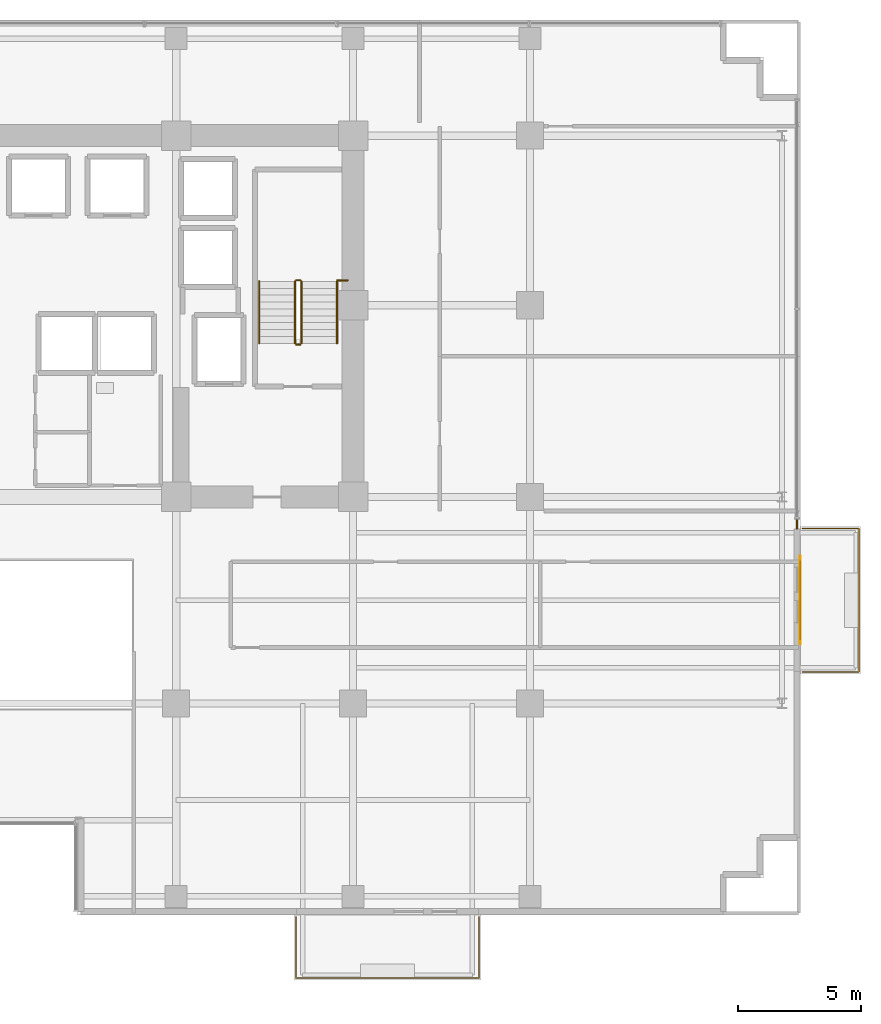
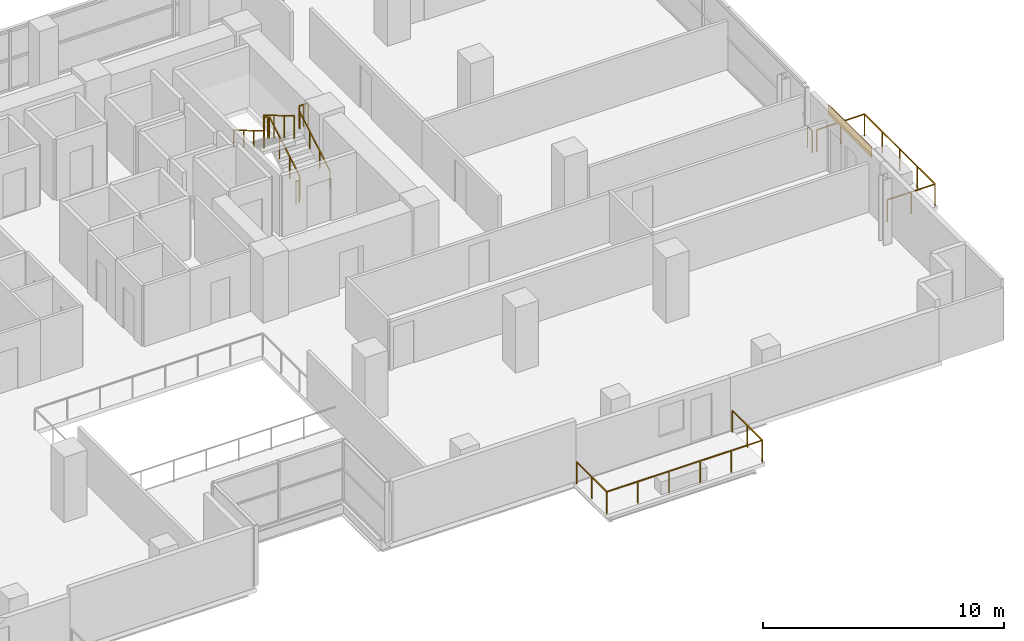
# One storey, part 25 of 26: 10 railings, 1 covering, 1 shading device.
"""IFC4 building model written with IfcOpenShell, lengths in metres."""

from ifc_helpers import new_model, si_unit, direction, frame, origin, origin_2d, place, context, subcontext, project, spatial, rectangle, extrude, source, transform, mapped, material, layer, layer_set, type_object, element, save


model = new_model("IFC4")

# Units and contexts
model_context = context("Model", 3, precision=1e-05, world=origin(), true_north=direction((0.0, 1.0)))
body_context = subcontext(model_context, "Body", "Model", "MODEL_VIEW")
ifc_project = project(units=[si_unit("LENGTHUNIT", "METRE"), si_unit("AREAUNIT", "SQUARE_METRE"), si_unit("VOLUMEUNIT", "CUBIC_METRE"), si_unit("PLANEANGLEUNIT", "RADIAN"), si_unit("MASSUNIT", "GRAM", prefix="KILO")], contexts=[model_context])

# Site, building, storey
site_placement = place(None, origin())
site = spatial("IfcSite", under=ifc_project, at=site_placement, CompositionType="ELEMENT")
building_placement = place(site_placement, origin())
building = spatial("IfcBuilding", under=site, at=building_placement, Name="Zarnakvel Exchange Tower", CompositionType="ELEMENT")
storey_placement = place(building_placement, frame((0.0, 0.0, 63.699951171875)))
storey = spatial("IfcBuildingStorey", under=building, at=storey_placement, Name="L17", CompositionType="ELEMENT", Elevation=63.699951171875)

# Railings
ifc_material_1 = material(Name="Architectural Bronze Anodised Aluminium", Category="aluminium")
railing_type_1 = type_object("IfcRailingType", Name="GR-02", PredefinedType="GUARDRAIL", material=ifc_material_1)
railing_1_placement = place(storey_placement, frame((12.080078125, -18.280029296875, -0.034912109375)))
element("IfcRailing", 1, at=railing_1_placement, inside=storey, type_object=railing_type_1, Name="L17 Balcony Guardrail BAL-L17-SE", PredefinedType="GUARDRAIL", context=body_context, shape_type="SweptSolid", body=[
    extrude(rectangle(XDim=0.048095703125, YDim=0.048095703125, at=origin_2d()), frame((0.0, 0.0, 1.09619140625), z_axis=(0.0, -1.0, 0.0), x_axis=(1.0, 0.0, 0.0)), (0.0, 0.0, 1.0), 2.489990234375),
    extrude(rectangle(XDim=0.048095703125, YDim=0.048095703125, at=origin_2d()), frame((0.0, -2.489990234375, 1.09619140625), z_axis=(1.0, 0.0, 0.0), x_axis=(0.0, 1.0, 0.0)), (0.0, 0.0, 1.0), 7.43994140625),
    extrude(rectangle(XDim=0.048095703125, YDim=0.048095703125, at=origin_2d()), frame((7.43994140625, -2.489990234375, 1.09619140625), z_axis=(0.0, 1.0, 0.0), x_axis=(-1.0, 0.0, 0.0)), (0.0, 0.0, 1.0), 2.489990234375),
    extrude(rectangle(XDim=0.0419921875, YDim=0.0419921875, at=origin_2d()), origin(), (0.0, 0.0, 1.0), 1.072021484375),
    extrude(rectangle(XDim=0.0419921875, YDim=0.0419921875, at=origin_2d()), frame((0.0, -1.2451171875, 0.0)), (0.0, 0.0, 1.0), 1.072021484375),
    extrude(rectangle(XDim=0.0419921875, YDim=0.0419921875, at=origin_2d()), frame((0.0, -2.489990234375, 0.0)), (0.0, 0.0, 1.0), 1.072021484375),
    extrude(rectangle(XDim=0.0419921875, YDim=0.0419921875, at=origin_2d()), frame((1.488037109375, -2.489990234375, 0.0)), (0.0, 0.0, 1.0), 1.072021484375),
    extrude(rectangle(XDim=0.0419921875, YDim=0.0419921875, at=origin_2d()), frame((2.97607421875, -2.489990234375, 0.0)), (0.0, 0.0, 1.0), 1.072021484375),
    extrude(rectangle(XDim=0.0419921875, YDim=0.0419921875, at=origin_2d()), frame((4.4638671875, -2.489990234375, 0.0)), (0.0, 0.0, 1.0), 1.072021484375),
    extrude(rectangle(XDim=0.0419921875, YDim=0.0419921875, at=origin_2d()), frame((5.951904296875, -2.489990234375, 0.0)), (0.0, 0.0, 1.0), 1.072021484375),
    extrude(rectangle(XDim=0.0419921875, YDim=0.0419921875, at=origin_2d()), frame((7.43994140625, -2.489990234375, 0.0)), (0.0, 0.0, 1.0), 1.072021484375),
    extrude(rectangle(XDim=0.0419921875, YDim=0.0419921875, at=origin_2d()), frame((7.43994140625, -1.2451171875, 0.0)), (0.0, 0.0, 1.0), 1.072021484375),
    extrude(rectangle(XDim=0.0419921875, YDim=0.0419921875, at=origin_2d()), frame((7.43994140625, 0.0, 0.0)), (0.0, 0.0, 1.0), 1.072021484375),
])
railing_2_placement = place(storey_placement, frame((32.679931640625, -8.320068359375, -0.034912109375)))
element("IfcRailing", 2, at=railing_2_placement, inside=storey, type_object=railing_type_1, Name="L17 Balcony Guardrail BAL-L17-E", PredefinedType="GUARDRAIL", context=body_context, shape_type="SweptSolid", body=[
    extrude(rectangle(XDim=0.048095703125, YDim=0.048095703125, at=origin_2d()), frame((0.0, 0.0, 1.09619140625), z_axis=(1.0, 0.0, 0.0), x_axis=(0.0, 1.0, 0.0)), (0.0, 0.0, 1.0), 2.2900390625),
    extrude(rectangle(XDim=0.048095703125, YDim=0.048095703125, at=origin_2d()), frame((2.2900390625, 0.0, 1.09619140625), z_axis=(0.0, 1.0, 0.0), x_axis=(-1.0, 0.0, 0.0)), (0.0, 0.0, 1.0), 5.840087890625),
    extrude(rectangle(XDim=0.048095703125, YDim=0.048095703125, at=origin_2d()), frame((2.2900390625, 5.840087890625, 1.09619140625), z_axis=(-1.0, 0.0, 0.0), x_axis=(0.0, -1.0, 0.0)), (0.0, 0.0, 1.0), 2.2900390625),
    extrude(rectangle(XDim=0.0419921875, YDim=0.0419921875, at=origin_2d()), origin(), (0.0, 0.0, 1.0), 1.072021484375),
    extrude(rectangle(XDim=0.0419921875, YDim=0.0419921875, at=origin_2d()), frame((1.14501953125, 0.0, 0.0)), (0.0, 0.0, 1.0), 1.072021484375),
    extrude(rectangle(XDim=0.0419921875, YDim=0.0419921875, at=origin_2d()), frame((2.2900390625, 0.0, 0.0)), (0.0, 0.0, 1.0), 1.072021484375),
    extrude(rectangle(XDim=0.0419921875, YDim=0.0419921875, at=origin_2d()), frame((2.2900390625, 1.4599609375, 0.0)), (0.0, 0.0, 1.0), 1.072021484375),
    extrude(rectangle(XDim=0.0419921875, YDim=0.0419921875, at=origin_2d()), frame((2.2900390625, 2.919921875, 0.0)), (0.0, 0.0, 1.0), 1.072021484375),
    extrude(rectangle(XDim=0.0419921875, YDim=0.0419921875, at=origin_2d()), frame((2.2900390625, 4.380126953125, 0.0)), (0.0, 0.0, 1.0), 1.072021484375),
    extrude(rectangle(XDim=0.0419921875, YDim=0.0419921875, at=origin_2d()), frame((2.2900390625, 5.840087890625, 0.0)), (0.0, 0.0, 1.0), 1.072021484375),
    extrude(rectangle(XDim=0.0419921875, YDim=0.0419921875, at=origin_2d()), frame((1.14501953125, 5.840087890625, 0.0)), (0.0, 0.0, 1.0), 1.072021484375),
    extrude(rectangle(XDim=0.0419921875, YDim=0.0419921875, at=origin_2d()), frame((0.0, 5.840087890625, 0.0)), (0.0, 0.0, 1.0), 1.072021484375),
])
railing_3_placement = place(storey_placement, frame((32.4599609375, -2.10009765625, 0.0)))
element("IfcRailing", 3, at=railing_3_placement, inside=storey, type_object=railing_type_1, Name="L17 Corner Spandrel Balustrade #9", PredefinedType="GUARDRAIL", context=body_context, shape_type="SweptSolid", body=[
    extrude(rectangle(XDim=0.048095703125, YDim=0.048095703125, at=origin_2d()), frame((0.0, 0.0, 1.09619140625), z_axis=(0.0, -1.0, 0.0), x_axis=(1.0, 0.0, 0.0)), (0.0, 0.0, 1.0), 0.39990234375),
    extrude(rectangle(XDim=0.0419921875, YDim=0.0419921875, at=origin_2d()), origin(), (0.0, 0.0, 1.0), 1.072021484375),
    extrude(rectangle(XDim=0.0419921875, YDim=0.0419921875, at=origin_2d()), frame((0.0, -0.39990234375, 0.0)), (0.0, 0.0, 1.0), 1.072021484375),
])
ifc_material_2 = material(Name="Brushed Stainless Steel", Category="steel")
railing_type_2 = type_object("IfcRailingType", Name="HR-01", PredefinedType="HANDRAIL", material=ifc_material_2)
railing_4_placement = place(storey_placement, frame((13.75, 5.050048828125, 0.1650390625)))
element("IfcRailing", 4, at=railing_4_placement, inside=storey, type_object=railing_type_2, Name="L17 ST-02 stair handrail 1", PredefinedType="HANDRAIL", context=body_context, shape_type="SweptSolid", body=[
    extrude(rectangle(XDim=0.048095703125, YDim=0.048095703125, at=origin_2d()), frame((0.0, 0.0, 0.8759765625), z_axis=(0.0, 0.86152411907, 0.507716645641), x_axis=(-1.0, 0.0, 0.0)), (0.0, 0.0, 1.0), 2.925048828125),
    extrude(rectangle(XDim=0.0419921875, YDim=0.0419921875, at=origin_2d()), origin(), (0.0, 0.0, 1.0), 0.851806640625),
    extrude(rectangle(XDim=0.0419921875, YDim=0.0419921875, at=origin_2d()), frame((0.0, 0.840087890625, 0.4951171875)), (0.0, 0.0, 1.0), 0.851806640625),
    extrude(rectangle(XDim=0.0419921875, YDim=0.0419921875, at=origin_2d()), frame((0.0, 1.679931640625, 0.989990234375)), (0.0, 0.0, 1.0), 0.851806640625),
    extrude(rectangle(XDim=0.0419921875, YDim=0.0419921875, at=origin_2d()), frame((0.0, 2.52001953125, 1.485107421875)), (0.0, 0.0, 1.0), 0.851806640625),
])
railing_5_placement = place(storey_placement, frame((10.590087890625, 7.570068359375, 1.81494140625)))
element("IfcRailing", 5, at=railing_5_placement, inside=storey, type_object=railing_type_2, Name="L17 ST-02 stair handrail 2", PredefinedType="HANDRAIL", context=body_context, shape_type="SweptSolid", body=[
    extrude(rectangle(XDim=0.048095703125, YDim=0.048095703125, at=origin_2d()), frame((0.0, 0.0, 0.8759765625), z_axis=(0.0, -0.86152411907, 0.507716645641), x_axis=(1.0, 0.0, 0.0)), (0.0, 0.0, 1.0), 2.925048828125),
    extrude(rectangle(XDim=0.0419921875, YDim=0.0419921875, at=origin_2d()), origin(), (0.0, 0.0, 1.0), 0.851806640625),
    extrude(rectangle(XDim=0.0419921875, YDim=0.0419921875, at=origin_2d()), frame((0.0, -0.840087890625, 0.4951171875)), (0.0, 0.0, 1.0), 0.851806640625),
    extrude(rectangle(XDim=0.0419921875, YDim=0.0419921875, at=origin_2d()), frame((0.0, -1.679931640625, 0.989990234375)), (0.0, 0.0, 1.0), 0.851806640625),
    extrude(rectangle(XDim=0.0419921875, YDim=0.0419921875, at=origin_2d()), frame((0.0, -2.52001953125, 1.485107421875)), (0.0, 0.0, 1.0), 0.851806640625),
])
railing_type_3 = type_object("IfcRailingType", Name="SG-01", PredefinedType="GUARDRAIL", material=ifc_material_1)
railing_6_placement = place(storey_placement, frame((12.300048828125, 5.050048828125, 0.1650390625)))
element("IfcRailing", 6, at=railing_6_placement, inside=storey, type_object=railing_type_3, Name="L17 ST-02 stair guard 1", PredefinedType="GUARDRAIL", context=body_context, shape_type="SweptSolid", body=[
    extrude(rectangle(XDim=0.048095703125, YDim=0.048095703125, at=origin_2d()), frame((0.0, 0.0, 1.1259765625), z_axis=(0.0, 0.86152411907, 0.507716645641), x_axis=(-1.0, 0.0, 0.0)), (0.0, 0.0, 1.0), 2.925048828125),
    extrude(rectangle(XDim=0.0419921875, YDim=0.0419921875, at=origin_2d()), origin(), (0.0, 0.0, 1.0), 1.101806640625),
    extrude(rectangle(XDim=0.0419921875, YDim=0.0419921875, at=origin_2d()), frame((0.0, 0.840087890625, 0.4951171875)), (0.0, 0.0, 1.0), 1.101806640625),
    extrude(rectangle(XDim=0.0419921875, YDim=0.0419921875, at=origin_2d()), frame((0.0, 1.679931640625, 0.989990234375)), (0.0, 0.0, 1.0), 1.101806640625),
    extrude(rectangle(XDim=0.0419921875, YDim=0.0419921875, at=origin_2d()), frame((0.0, 2.52001953125, 1.485107421875)), (0.0, 0.0, 1.0), 1.101806640625),
])
railing_7_placement = place(storey_placement, frame((12.25, 7.6201171875, 1.650146484375)))
element("IfcRailing", 7, at=railing_7_placement, inside=storey, type_object=railing_type_3, Name="L17 ST-02 stair guard 2", PredefinedType="GUARDRAIL", context=body_context, shape_type="SweptSolid", body=[
    extrude(rectangle(XDim=0.048095703125, YDim=0.048095703125, at=origin_2d()), frame((0.0, 0.0, 1.1259765625), z_axis=(-1.0, 0.0, 0.0), x_axis=(0.0, -1.0, 0.0)), (0.0, 0.0, 1.0), 0.159912109375),
    extrude(rectangle(XDim=0.0419921875, YDim=0.0419921875, at=origin_2d()), origin(), (0.0, 0.0, 1.0), 1.101806640625),
    extrude(rectangle(XDim=0.0419921875, YDim=0.0419921875, at=origin_2d()), frame((-0.159912109375, 0.0, 0.0)), (0.0, 0.0, 1.0), 1.101806640625),
])
railing_8_placement = place(storey_placement, frame((12.0400390625, 7.570068359375, 1.81494140625)))
element("IfcRailing", 8, at=railing_8_placement, inside=storey, type_object=railing_type_3, Name="L17 ST-02 stair guard 3", PredefinedType="GUARDRAIL", context=body_context, shape_type="SweptSolid", body=[
    extrude(rectangle(XDim=0.048095703125, YDim=0.048095703125, at=origin_2d()), frame((0.0, 0.0, 1.1259765625), z_axis=(0.0, -0.86152411907, 0.507716645641), x_axis=(1.0, 0.0, 0.0)), (0.0, 0.0, 1.0), 2.925048828125),
    extrude(rectangle(XDim=0.0419921875, YDim=0.0419921875, at=origin_2d()), origin(), (0.0, 0.0, 1.0), 1.101806640625),
    extrude(rectangle(XDim=0.0419921875, YDim=0.0419921875, at=origin_2d()), frame((0.0, -0.840087890625, 0.4951171875)), (0.0, 0.0, 1.0), 1.101806640625),
    extrude(rectangle(XDim=0.0419921875, YDim=0.0419921875, at=origin_2d()), frame((0.0, -1.679931640625, 0.989990234375)), (0.0, 0.0, 1.0), 1.101806640625),
    extrude(rectangle(XDim=0.0419921875, YDim=0.0419921875, at=origin_2d()), frame((0.0, -2.52001953125, 1.485107421875)), (0.0, 0.0, 1.0), 1.101806640625),
])
railing_9_placement = place(storey_placement, frame((12.25, 5.0, 0.0)))
element("IfcRailing", 9, at=railing_9_placement, inside=storey, type_object=railing_type_3, Name="L17 ST-02 stair guard 4", PredefinedType="GUARDRAIL", context=body_context, shape_type="SweptSolid", body=[
    extrude(rectangle(XDim=0.048095703125, YDim=0.048095703125, at=origin_2d()), frame((0.0, 0.0, 1.1259765625), z_axis=(-1.0, 0.0, 0.0), x_axis=(0.0, -1.0, 0.0)), (0.0, 0.0, 1.0), 0.159912109375),
    extrude(rectangle(XDim=0.0419921875, YDim=0.0419921875, at=origin_2d()), origin(), (0.0, 0.0, 1.0), 1.101806640625),
    extrude(rectangle(XDim=0.0419921875, YDim=0.0419921875, at=origin_2d()), frame((-0.159912109375, 0.0, 0.0)), (0.0, 0.0, 1.0), 1.101806640625),
])
railing_10_placement = place(storey_placement, frame((13.75, 7.610107421875, 1.650146484375)))
element("IfcRailing", 10, at=railing_10_placement, inside=storey, type_object=railing_type_3, Name="L17 ST-02 Landing Slot Guardrail", PredefinedType="GUARDRAIL", context=body_context, shape_type="SweptSolid", body=[
    extrude(rectangle(XDim=0.048095703125, YDim=0.048095703125, at=origin_2d()), frame((0.0, 0.0, 1.1259765625), z_axis=(1.0, 0.0, 0.0), x_axis=(0.0, 1.0, 0.0)), (0.0, 0.0, 1.0), 0.429931640625),
    extrude(rectangle(XDim=0.0419921875, YDim=0.0419921875, at=origin_2d()), origin(), (0.0, 0.0, 1.0), 1.101806640625),
    extrude(rectangle(XDim=0.0419921875, YDim=0.0419921875, at=origin_2d()), frame((0.21484375, 0.0, 0.0)), (0.0, 0.0, 1.0), 1.101806640625),
    extrude(rectangle(XDim=0.0419921875, YDim=0.0419921875, at=origin_2d()), frame((0.429931640625, 0.0, 0.0)), (0.0, 0.0, 1.0), 1.101806640625),
])

# Shading device
ifc_material_3 = material(Name="Perforated Architectural Bronze Screen", Category="aluminium")
ifc_layer_1 = layer(ifc_material_3, 0.044921875)
ifc_layer_set_1 = layer_set([ifc_layer_1], Name="Perforated Architectural Bronze Screen")
shading_device_type = type_object("IfcShadingDeviceType", Name="SS-01", PredefinedType="JALOUSIE", material=ifc_layer_set_1)
shared_shape_1 = source(origin(), body_context, "Body", "SweptSolid", [
    extrude(rectangle(XDim=3.199951171875, YDim=0.044921875, at=origin_2d()), origin(), (0.0, 0.0, 1.0), 0.4951171875),
])
shading_device_placement = place(storey_placement, frame((32.6005859375, -5.39990234375, 2.56005859375), z_axis=(0.0, 0.0, 1.0), x_axis=(0.0, -1.0, 0.0)))
element("IfcShadingDevice", 11, at=shading_device_placement, inside=storey, type_object=shading_device_type, Name="L17 Bronze Solar Shading Screen SS-01", PredefinedType="JALOUSIE", context=body_context, shape_type="MappedRepresentation", body=[
    mapped(shared_shape_1, transform((0.0, 0.0, 0.0), x_axis=(1.0, 0.0, 0.0), y_axis=(0.0, 1.0, 0.0), z_axis=(0.0, 0.0, 1.0), scale=1.0)),
])

# Covering
ifc_material_4 = material(Name="Glazed Turquoise Ceramic Architectural Tile", Category="ceramic")
ifc_layer_2 = layer(ifc_material_4, 0.028076171875)
ifc_layer_set_2 = layer_set([ifc_layer_2], Name="Glazed Turquoise Ceramic Architectural Tile")
covering_type = type_object("IfcCoveringType", Name="CL-01", PredefinedType="CLADDING", material=ifc_layer_set_2)
shared_shape_2 = source(origin(), body_context, "Body", "SweptSolid", [
    extrude(rectangle(XDim=3.60009765625, YDim=0.028076171875, at=origin_2d()), origin(), (0.0, 0.0, 1.0), 0.4951171875),
])
covering_placement = place(storey_placement, frame((32.592041015625, -5.39990234375, 2.56005859375), z_axis=(0.0, 0.0, 1.0), x_axis=(0.0, -1.0, 0.0)))
element("IfcCovering", 12, at=covering_placement, inside=storey, type_object=covering_type, Name="L17 Ceramic Spandrel Tilework CL-01", PredefinedType="CLADDING", context=body_context, shape_type="MappedRepresentation", body=[
    mapped(shared_shape_2, transform((0.0, 0.0, 0.0), x_axis=(1.0, 0.0, 0.0), y_axis=(0.0, 1.0, 0.0), z_axis=(0.0, 0.0, 1.0), scale=1.0)),
])

save(model, "model.ifc")
